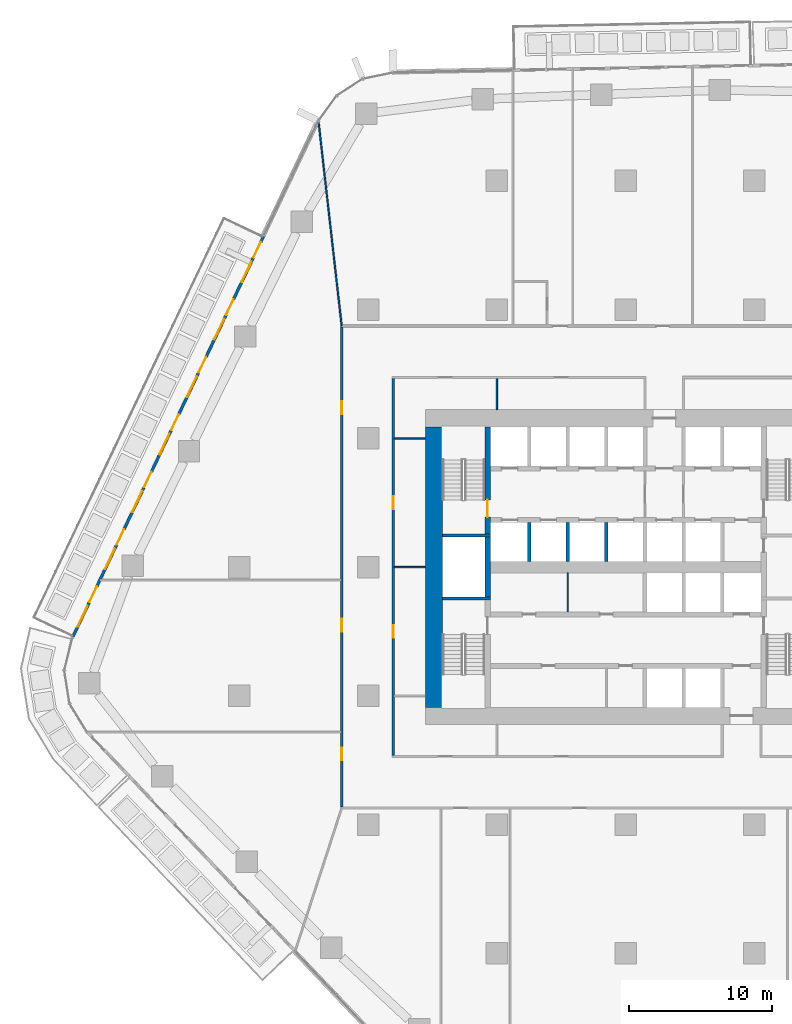
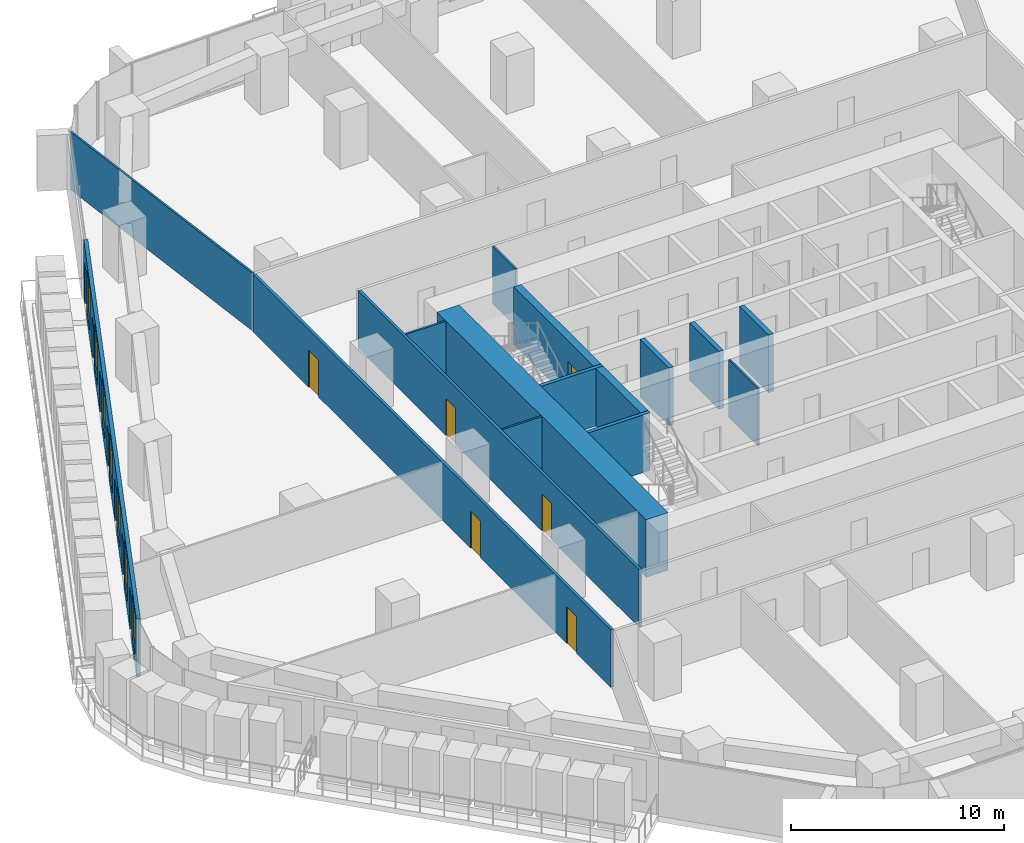
# One storey, part 13 of 24: 16 walls, 13 doors, 7 windows, 20 openings.
"""IFC4 building model written with IfcOpenShell, lengths in metres."""

from ifc_helpers import new_model, si_unit, direction, frame, frame_2d, origin, place, context, subcontext, project, spatial, rectangle, extrude, material, layer, layer_set, type_object, element, fill, save


model = new_model("IFC4")

# Units and contexts
model_context = context("Model", 3, precision=1e-05, world=origin(), true_north=direction((0.0, 1.0)))
body_context = subcontext(model_context, "Body", "Model", "MODEL_VIEW")
ifc_project = project(units=[si_unit("LENGTHUNIT", "METRE"), si_unit("AREAUNIT", "SQUARE_METRE"), si_unit("VOLUMEUNIT", "CUBIC_METRE"), si_unit("PLANEANGLEUNIT", "RADIAN"), si_unit("MASSUNIT", "GRAM", prefix="KILO")], contexts=[model_context])

# Site, building, storey
site_placement = place(None, origin())
site = spatial("IfcSite", under=ifc_project, at=site_placement, CompositionType="ELEMENT")
building_placement = place(site_placement, origin())
building = spatial("IfcBuilding", under=site, at=building_placement, Name="Dongbaek Canopy Tower", CompositionType="ELEMENT")
storey_placement = place(building_placement, frame((0.0, 0.0, 47.699951171875)))
storey = spatial("IfcBuildingStorey", under=building, at=storey_placement, Name="L07", CompositionType="ELEMENT", Elevation=47.699951171875)

# Wall
ifc_material_1 = material(Name="Concrete C60/75", Category="concrete")
ifc_layer_1 = layer(ifc_material_1, 1.199951171875)
ifc_layer_set_1 = layer_set([ifc_layer_1], Name="Core outer wall 1200 Concrete C60/75")
wall_type_1 = type_object("IfcWallType", Name="Core outer wall 1200 Concrete C60/75", PredefinedType="SHEAR", material=ifc_layer_set_1)
wall_1_placement = place(storey_placement, frame((-13.39990234375, -9.800048828125, 0.0), z_axis=(0.0, 0.0, 1.0), x_axis=(0.0, 1.0, 0.0)))
element("IfcWall", 1, at=wall_1_placement, inside=storey, type_object=wall_type_1, Name="Core wall", PredefinedType="SHEAR", context=body_context, shape_type="SweptSolid", body=[
    extrude(rectangle(XDim=19.60009765625, YDim=1.199951171875, at=frame_2d((9.800048828125, 0.0))), origin(), (0.0, 0.0, 1.0), 3.300048828125),
])

# Wall, openings, doors
ifc_material_2 = material(Name="Gypsum board partition, steel stud, 2 x 15 mm fire board", Category="steel")
ifc_layer_2 = layer(ifc_material_2, 0.14990234375)
ifc_layer_set_2 = layer_set([ifc_layer_2], Name="Fire-rated partition 150 gypsum board")
wall_type_2 = type_object("IfcWallType", Name="Fire-rated partition 150 gypsum board", PredefinedType="PARTITIONING", material=ifc_layer_set_2)
wall_2_placement = place(storey_placement, frame((-16.25, 13.175048828125, 0.0), z_axis=(0.0, 0.0, 1.0), x_axis=(0.0, -1.0, 0.0)))
wall_2 = element("IfcWall", 2, at=wall_2_placement, inside=storey, type_object=wall_type_2, Name="Corridor partition", PredefinedType="PARTITIONING", context=body_context, shape_type="SweptSolid", body=[
    extrude(rectangle(XDim=26.35009765625, YDim=0.14990234375, at=frame_2d((13.175048828125, 0.0))), origin(), (0.0, 0.0, 1.0), 3.300048828125),
])
opening_1_placement = place(wall_2_placement, frame((17.22509765625, 0.0, 0.0)))
opening_1 = element("IfcOpeningElement", 3, at=opening_1_placement, cuts=wall_2, Name="Opening L07-D018", PredefinedType="OPENING", context=body_context, shape_type="SweptSolid", body=[
    extrude(rectangle(XDim=0.89990234375, YDim=2.10009765625, at=frame_2d((0.449951171875, 1.050048828125))), frame((0.0, 0.0849609375, 0.0), z_axis=(0.0, -1.0, 0.0), x_axis=(1.0, 0.0, 0.0)), (0.0, 0.0, 1.0), 0.169921875),
])
opening_2_placement = place(wall_2_placement, frame((8.22509765625, 0.0, 0.0)))
opening_2 = element("IfcOpeningElement", 4, at=opening_2_placement, cuts=wall_2, Name="Opening L07-D026", PredefinedType="OPENING", context=body_context, shape_type="SweptSolid", body=[
    extrude(rectangle(XDim=0.89990234375, YDim=2.10009765625, at=frame_2d((0.449951171875, 1.050048828125))), frame((0.0, 0.0849609375, 0.0), z_axis=(0.0, -1.0, 0.0), x_axis=(1.0, 0.0, 0.0)), (0.0, 0.0, 1.0), 0.169921875),
])
ifc_material_3 = material(Name="Timber veneered door leaf", Category="wood")
door_type_1 = type_object("IfcDoorType", Name="Room door 900 x 2100", OperationType="SINGLE_SWING_LEFT", PredefinedType="DOOR", material=ifc_material_3)
door_1_placement = place(opening_1_placement, origin())
door_1 = element("IfcDoor", 5, at=door_1_placement, inside=storey, type_object=door_type_1, Name="Door L07-D018", OperationType="SINGLE_SWING_RIGHT", OverallHeight=2.10009765625, OverallWidth=0.89990234375, PredefinedType="DOOR", context=body_context, shape_type="SweptSolid", body=[
    extrude(rectangle(XDim=0.89990234375, YDim=2.10009765625, at=frame_2d((0.449951171875, 1.050048828125))), frame((0.0, 0.02490234375, 0.0), z_axis=(0.0, -1.0, 0.0), x_axis=(1.0, 0.0, 0.0)), (0.0, 0.0, 1.0), 0.050048828125),
])
fill(opening_1, door_1)
door_2_placement = place(opening_2_placement, origin())
door_2 = element("IfcDoor", 6, at=door_2_placement, inside=storey, type_object=door_type_1, Name="Door L07-D026", OperationType="SINGLE_SWING_RIGHT", OverallHeight=2.10009765625, OverallWidth=0.89990234375, PredefinedType="DOOR", context=body_context, shape_type="SweptSolid", body=[
    extrude(rectangle(XDim=0.89990234375, YDim=2.10009765625, at=frame_2d((0.449951171875, 1.050048828125))), frame((0.0, 0.02490234375, 0.0), z_axis=(0.0, -1.0, 0.0), x_axis=(1.0, 0.0, 0.0)), (0.0, 0.0, 1.0), 0.050048828125),
])
fill(opening_2, door_2)

wall_3_placement = place(storey_placement, frame((-19.85009765625, -16.77490234375, 0.0), z_axis=(0.0, 0.0, 1.0), x_axis=(0.0, 1.0, 0.0)))
wall_3 = element("IfcWall", 7, at=wall_3_placement, inside=storey, type_object=wall_type_2, Name="Corridor partition", PredefinedType="PARTITIONING", context=body_context, shape_type="SweptSolid", body=[
    extrude(rectangle(XDim=33.5498046875, YDim=0.14990234375, at=frame_2d((16.77490234375, 0.0))), origin(), (0.0, 0.0, 1.0), 3.300048828125),
])
opening_3_placement = place(wall_3_placement, frame((12.256103515625, 0.0, 0.0)))
opening_3 = element("IfcOpeningElement", 8, at=opening_3_placement, cuts=wall_3, Name="Opening L07-D001", PredefinedType="OPENING", context=body_context, shape_type="SweptSolid", body=[
    extrude(rectangle(XDim=0.89990234375, YDim=2.10009765625, at=frame_2d((0.449951171875, 1.050048828125))), frame((0.0, 0.0849609375, 0.0), z_axis=(0.0, -1.0, 0.0), x_axis=(1.0, 0.0, 0.0)), (0.0, 0.0, 1.0), 0.169921875),
])
opening_4_placement = place(wall_3_placement, frame((3.25439453125, 0.0, 0.0)))
opening_4 = element("IfcOpeningElement", 9, at=opening_4_placement, cuts=wall_3, Name="Opening L07-D002", PredefinedType="OPENING", context=body_context, shape_type="SweptSolid", body=[
    extrude(rectangle(XDim=0.89990234375, YDim=2.10009765625, at=frame_2d((0.449951171875, 1.050048828125))), frame((0.0, 0.0849609375, 0.0), z_axis=(0.0, -1.0, 0.0), x_axis=(1.0, 0.0, 0.0)), (0.0, 0.0, 1.0), 0.169921875),
])
opening_5_placement = place(wall_3_placement, frame((27.45068359375, 0.0, 0.0)))
opening_5 = element("IfcOpeningElement", 10, at=opening_5_placement, cuts=wall_3, Name="Opening L07-D017", PredefinedType="OPENING", context=body_context, shape_type="SweptSolid", body=[
    extrude(rectangle(XDim=0.89990234375, YDim=2.10009765625, at=frame_2d((0.449951171875, 1.050048828125))), frame((0.0, 0.0849609375, 0.0), z_axis=(0.0, -1.0, 0.0), x_axis=(1.0, 0.0, 0.0)), (0.0, 0.0, 1.0), 0.169921875),
])
door_3_placement = place(opening_3_placement, origin())
door_3 = element("IfcDoor", 11, at=door_3_placement, inside=storey, type_object=door_type_1, Name="Door L07-D001", OperationType="SINGLE_SWING_RIGHT", OverallHeight=2.10009765625, OverallWidth=0.89990234375, PredefinedType="DOOR", context=body_context, shape_type="SweptSolid", body=[
    extrude(rectangle(XDim=0.89990234375, YDim=2.10009765625, at=frame_2d((0.449951171875, 1.050048828125))), frame((0.0, 0.02490234375, 0.0), z_axis=(0.0, -1.0, 0.0), x_axis=(1.0, 0.0, 0.0)), (0.0, 0.0, 1.0), 0.050048828125),
])
fill(opening_3, door_3)
door_4_placement = place(opening_4_placement, origin())
door_4 = element("IfcDoor", 12, at=door_4_placement, inside=storey, type_object=door_type_1, Name="Door L07-D002", OperationType="SINGLE_SWING_LEFT", OverallHeight=2.10009765625, OverallWidth=0.89990234375, PredefinedType="DOOR", context=body_context, shape_type="SweptSolid", body=[
    extrude(rectangle(XDim=0.89990234375, YDim=2.10009765625, at=frame_2d((0.449951171875, 1.050048828125))), frame((0.0, 0.02490234375, 0.0), z_axis=(0.0, -1.0, 0.0), x_axis=(1.0, 0.0, 0.0)), (0.0, 0.0, 1.0), 0.050048828125),
])
fill(opening_4, door_4)
door_5_placement = place(opening_5_placement, origin())
door_5 = element("IfcDoor", 13, at=door_5_placement, inside=storey, type_object=door_type_1, Name="Door L07-D017", OperationType="SINGLE_SWING_LEFT", OverallHeight=2.10009765625, OverallWidth=0.89990234375, PredefinedType="DOOR", context=body_context, shape_type="SweptSolid", body=[
    extrude(rectangle(XDim=0.89990234375, YDim=2.10009765625, at=frame_2d((0.449951171875, 1.050048828125))), frame((0.0, 0.02490234375, 0.0), z_axis=(0.0, -1.0, 0.0), x_axis=(1.0, 0.0, 0.0)), (0.0, 0.0, 1.0), 0.050048828125),
])
fill(opening_5, door_5)

# Walls
ifc_material_4 = material(Name="Concrete C40/50", Category="concrete")
ifc_layer_3 = layer(ifc_material_4, 0.25)
ifc_layer_set_3 = layer_set([ifc_layer_3], Name="Lift shaft wall 250 Concrete C40/50")
wall_type_3 = type_object("IfcWallType", Name="Lift shaft wall 250 Concrete C40/50", PredefinedType="SOLIDWALL", material=ifc_layer_set_3)
for number, where, z_axis, x_axis, name in (
    (14, (-1.35009765625, 0.39990234375, 0.0), (0.0, 0.0, 1.0), (0.0, 1.0, 0.0), "Lift shaft wall"),
    (15, (-4.050048828125, 0.39990234375, 0.0), (0.0, 0.0, 1.0), (0.0, 1.0, 0.0), "Lift shaft wall"),
    (16, (-6.75, 0.39990234375, 0.0), (0.0, 0.0, 1.0), (0.0, 1.0, 0.0), "Lift shaft wall"),
):
    element("IfcWall", number, at=place(storey_placement, frame(where, z_axis=z_axis, x_axis=x_axis)), inside=storey, type_object=wall_type_3, Name=name, PredefinedType="SOLIDWALL", context=body_context, shape_type="SweptSolid", body=[
        extrude(rectangle(XDim=2.72509765625, YDim=0.25, at=frame_2d((1.362548828125, 0.0))), origin(), (0.0, 0.0, 1.0), 3.300048828125),
    ])
ifc_material_5 = material(Name="Gypsum board partition, steel stud, 2 x 12.5 mm board", Category="steel")
ifc_layer_4 = layer(ifc_material_5, 0.10009765625)
ifc_layer_set_4 = layer_set([ifc_layer_4], Name="Partition 100 gypsum board")
wall_type_4 = type_object("IfcWallType", Name="Partition 100 gypsum board", PredefinedType="PARTITIONING", material=ifc_layer_set_4)
for number, where, z_axis, x_axis, name in (
    (17, (-16.175048828125, 0.0, 0.0), (0.0, 0.0, 1.0), (1.0, 0.0, 0.0), "Partition"),
    (18, (-16.175048828125, 9.0, 0.0), (0.0, 0.0, 1.0), (1.0, 0.0, 0.0), "Partition"),
    (19, (-9.0, 11.0, 0.0), (0.0, 0.0, 1.0), (0.0, 1.0, 0.0), "Partition"),
):
    element("IfcWall", number, at=place(storey_placement, frame(where, z_axis=z_axis, x_axis=x_axis)), inside=storey, type_object=wall_type_4, Name=name, PredefinedType="PARTITIONING", context=body_context, shape_type="SweptSolid", body=[
        extrude(rectangle(XDim=2.175048828125, YDim=0.10009765625, at=frame_2d((1.08740234375, 0.0))), origin(), (0.0, 0.0, 1.0), 3.300048828125),
    ])
wall_4_placement = place(storey_placement, frame((-21.47216796875, 31.153076171875, 0.0), z_axis=(0.0, 0.0, 1.0), x_axis=(0.112685540228, -0.993630700524, 0.0)))
element("IfcWall", 20, at=wall_4_placement, inside=storey, type_object=wall_type_4, Name="Partition", PredefinedType="PARTITIONING", context=body_context, shape_type="SweptSolid", body=[
    extrude(rectangle(XDim=14.394775390625, YDim=0.10009765625, at=frame_2d((7.197265625, 0.0))), origin(), (0.0, 0.0, 1.0), 3.300048828125),
])
wall_5_placement = place(storey_placement, frame((-4.050048828125, -3.125, 0.0), z_axis=(0.0, 0.0, 1.0), x_axis=(0.0, 1.0, 0.0)))
element("IfcWall", 21, at=wall_5_placement, inside=storey, type_object=wall_type_4, Name="Core partition", PredefinedType="PARTITIONING", context=body_context, shape_type="SweptSolid", body=[
    extrude(rectangle(XDim=2.72509765625, YDim=0.10009765625, at=frame_2d((1.362548828125, 0.0))), origin(), (0.0, 0.0, 1.0), 3.300048828125),
])
ifc_material_6 = material(Name="Concrete C60/75", Category="concrete")
ifc_layer_5 = layer(ifc_material_6, 0.199951171875)
ifc_layer_set_5 = layer_set([ifc_layer_5], Name="Riser wall 200 Concrete C60/75")
wall_type_5 = type_object("IfcWallType", Name="Riser wall 200 Concrete C60/75", PredefinedType="SHEAR", material=ifc_layer_set_5)
for number, where, z_axis, x_axis, name in (
    (22, (-9.449951171875, 2.199951171875, 0.0), (0.0, 0.0, 1.0), (-1.0, 0.0, 0.0), "Riser wall"),
    (23, (-9.449951171875, -2.199951171875, 0.0), (0.0, 0.0, 1.0), (-1.0, 0.0, 0.0), "Riser wall"),
):
    element("IfcWall", number, at=place(storey_placement, frame(where, z_axis=z_axis, x_axis=x_axis)), inside=storey, type_object=wall_type_5, Name=name, PredefinedType="SHEAR", context=body_context, shape_type="SweptSolid", body=[
        extrude(rectangle(XDim=3.35009765625, YDim=0.199951171875, at=frame_2d((1.675048828125, 0.0))), origin(), (0.0, 0.0, 1.0), 3.300048828125),
    ])
ifc_material_7 = material(Name="Concrete C60/75", Category="concrete")
ifc_layer_6 = layer(ifc_material_7, 0.39990234375)
ifc_layer_set_6 = layer_set([ifc_layer_6], Name="Stair wall 400 Concrete C60/75")
wall_type_6 = type_object("IfcWallType", Name="Stair wall 400 Concrete C60/75", PredefinedType="SHEAR", material=ifc_layer_set_6)
wall_6_placement = place(storey_placement, frame((-9.64990234375, -2.10009765625, 0.0), z_axis=(0.0, 0.0, 1.0), x_axis=(0.0, 1.0, 0.0)))
element("IfcWall", 24, at=wall_6_placement, inside=storey, type_object=wall_type_6, Name="Stair wall", PredefinedType="SHEAR", context=body_context, shape_type="SweptSolid", body=[
    extrude(rectangle(XDim=4.2001953125, YDim=0.39990234375, at=frame_2d((2.10009765625, 0.0))), origin(), (0.0, 0.0, 1.0), 3.300048828125),
])

# Wall, opening, door
wall_7_placement = place(storey_placement, frame((-9.64990234375, 2.300048828125, 0.0), z_axis=(0.0, 0.0, 1.0), x_axis=(0.0, 1.0, 0.0)))
wall_7 = element("IfcWall", 25, at=wall_7_placement, inside=storey, type_object=wall_type_6, Name="Stair wall", PredefinedType="SHEAR", context=body_context, shape_type="SweptSolid", body=[
    extrude(rectangle(XDim=7.5, YDim=0.39990234375, at=frame_2d((3.75, 0.0))), origin(), (0.0, 0.0, 1.0), 3.300048828125),
])
opening_6_placement = place(wall_7_placement, frame((1.199951171875, 0.0, 0.0)))
opening_6 = element("IfcOpeningElement", 26, at=opening_6_placement, cuts=wall_7, Name="Opening L07-D051", PredefinedType="OPENING", context=body_context, shape_type="SweptSolid", body=[
    extrude(rectangle(XDim=1.199951171875, YDim=2.10009765625, at=frame_2d((0.60009765625, 1.050048828125))), frame((0.0, 0.2099609375, 0.0), z_axis=(0.0, -1.0, 0.0), x_axis=(1.0, 0.0, 0.0)), (0.0, 0.0, 1.0), 0.419921875),
])
ifc_material_8 = material(Name="Steel", Category="steel")
door_type_2 = type_object("IfcDoorType", Name="Stair door 1200 x 2100", OperationType="SINGLE_SWING_LEFT", PredefinedType="DOOR", material=ifc_material_8)
door_6_placement = place(opening_6_placement, origin())
door_6 = element("IfcDoor", 27, at=door_6_placement, inside=storey, type_object=door_type_2, Name="Stair C door", OperationType="SINGLE_SWING_RIGHT", OverallHeight=2.10009765625, OverallWidth=1.199951171875, PredefinedType="DOOR", context=body_context, shape_type="SweptSolid", body=[
    extrude(rectangle(XDim=1.199951171875, YDim=2.10009765625, at=frame_2d((0.60009765625, 1.050048828125))), frame((0.0, 0.02490234375, 0.0), z_axis=(0.0, -1.0, 0.0), x_axis=(1.0, 0.0, 0.0)), (0.0, 0.0, 1.0), 0.050048828125),
])
fill(opening_6, door_6)

# Wall, openings, doors, windows
ifc_material_9 = material(Name="Aluminium window wall", Category="aluminium")
ifc_layer_7 = layer(ifc_material_9, 0.199951171875)
ifc_layer_set_7 = layer_set([ifc_layer_7], Name="Window wall 200")
wall_type_7 = type_object("IfcWallType", Name="Window wall 200", PredefinedType="SOLIDWALL", material=ifc_layer_set_7)
wall_8_placement = place(storey_placement, frame((-25.294677734375, 23.16796875, 0.0), z_axis=(0.0, 0.0, 1.0), x_axis=(-0.429791665344, -0.902928083737, 0.0)))
wall_8 = element("IfcWall", 28, at=wall_8_placement, inside=storey, type_object=wall_type_7, Name="Window wall L07 2", PredefinedType="SOLIDWALL", context=body_context, shape_type="SweptSolid", body=[
    extrude(rectangle(XDim=31.11962890625, YDim=0.199951171875, at=frame_2d((15.559814453125, 0.0))), origin(), (0.0, 0.0, 1.0), 3.300048828125),
])
opening_7_placement = place(wall_8_placement, frame((2.0, 0.0, 0.60009765625)))
opening_7 = element("IfcOpeningElement", 29, at=opening_7_placement, cuts=wall_8, Name="Opening W1", PredefinedType="OPENING", context=body_context, shape_type="SweptSolid", body=[
    extrude(rectangle(XDim=1.60009765625, YDim=2.39990234375, at=frame_2d((0.800048828125, 1.199951171875))), frame((0.0, 0.10986328125, 0.0), z_axis=(0.0, -1.0, 0.0), x_axis=(1.0, 0.0, 0.0)), (0.0, 0.0, 1.0), 0.219970703125),
])
opening_8_placement = place(wall_8_placement, frame((0.5, 0.0, 0.0)))
opening_8 = element("IfcOpeningElement", 30, at=opening_8_placement, cuts=wall_8, Name="Opening L07-B06", PredefinedType="OPENING", context=body_context, shape_type="SweptSolid", body=[
    extrude(rectangle(XDim=1.199951171875, YDim=2.39990234375, at=frame_2d((0.60009765625, 1.199951171875))), frame((0.0, 0.10986328125, 0.0), z_axis=(0.0, -1.0, 0.0), x_axis=(1.0, 0.0, 0.0)), (0.0, 0.0, 1.0), 0.219970703125),
])
opening_9_placement = place(wall_8_placement, frame((6.44580078125, 0.0, 0.60009765625)))
opening_9 = element("IfcOpeningElement", 31, at=opening_9_placement, cuts=wall_8, Name="Opening W1", PredefinedType="OPENING", context=body_context, shape_type="SweptSolid", body=[
    extrude(rectangle(XDim=1.60009765625, YDim=2.39990234375, at=frame_2d((0.800048828125, 1.199951171875))), frame((0.0, 0.10986328125, 0.0), z_axis=(0.0, -1.0, 0.0), x_axis=(1.0, 0.0, 0.0)), (0.0, 0.0, 1.0), 0.219970703125),
])
opening_10_placement = place(wall_8_placement, frame((4.94580078125, 0.0, 0.0)))
opening_10 = element("IfcOpeningElement", 32, at=opening_10_placement, cuts=wall_8, Name="Opening L07-B07", PredefinedType="OPENING", context=body_context, shape_type="SweptSolid", body=[
    extrude(rectangle(XDim=1.199951171875, YDim=2.39990234375, at=frame_2d((0.60009765625, 1.199951171875))), frame((0.0, 0.10986328125, 0.0), z_axis=(0.0, -1.0, 0.0), x_axis=(1.0, 0.0, 0.0)), (0.0, 0.0, 1.0), 0.219970703125),
])
opening_11_placement = place(wall_8_placement, frame((10.891357421875, 0.0, 0.60009765625)))
opening_11 = element("IfcOpeningElement", 33, at=opening_11_placement, cuts=wall_8, Name="Opening W1", PredefinedType="OPENING", context=body_context, shape_type="SweptSolid", body=[
    extrude(rectangle(XDim=1.60009765625, YDim=2.39990234375, at=frame_2d((0.800048828125, 1.199951171875))), frame((0.0, 0.10986328125, 0.0), z_axis=(0.0, -1.0, 0.0), x_axis=(1.0, 0.0, 0.0)), (0.0, 0.0, 1.0), 0.219970703125),
])
opening_12_placement = place(wall_8_placement, frame((9.391357421875, 0.0, 0.0)))
opening_12 = element("IfcOpeningElement", 34, at=opening_12_placement, cuts=wall_8, Name="Opening L07-B08", PredefinedType="OPENING", context=body_context, shape_type="SweptSolid", body=[
    extrude(rectangle(XDim=1.199951171875, YDim=2.39990234375, at=frame_2d((0.60009765625, 1.199951171875))), frame((0.0, 0.10986328125, 0.0), z_axis=(0.0, -1.0, 0.0), x_axis=(1.0, 0.0, 0.0)), (0.0, 0.0, 1.0), 0.219970703125),
])
opening_13_placement = place(wall_8_placement, frame((15.337158203125, 0.0, 0.60009765625)))
opening_13 = element("IfcOpeningElement", 35, at=opening_13_placement, cuts=wall_8, Name="Opening W1", PredefinedType="OPENING", context=body_context, shape_type="SweptSolid", body=[
    extrude(rectangle(XDim=1.60009765625, YDim=2.39990234375, at=frame_2d((0.800048828125, 1.199951171875))), frame((0.0, 0.10986328125, 0.0), z_axis=(0.0, -1.0, 0.0), x_axis=(1.0, 0.0, 0.0)), (0.0, 0.0, 1.0), 0.219970703125),
])
opening_14_placement = place(wall_8_placement, frame((13.837158203125, 0.0, 0.0)))
opening_14 = element("IfcOpeningElement", 36, at=opening_14_placement, cuts=wall_8, Name="Opening L07-B09", PredefinedType="OPENING", context=body_context, shape_type="SweptSolid", body=[
    extrude(rectangle(XDim=1.199951171875, YDim=2.39990234375, at=frame_2d((0.60009765625, 1.199951171875))), frame((0.0, 0.10986328125, 0.0), z_axis=(0.0, -1.0, 0.0), x_axis=(1.0, 0.0, 0.0)), (0.0, 0.0, 1.0), 0.219970703125),
])
opening_15_placement = place(wall_8_placement, frame((19.78271484375, 0.0, 0.60009765625)))
opening_15 = element("IfcOpeningElement", 37, at=opening_15_placement, cuts=wall_8, Name="Opening W1", PredefinedType="OPENING", context=body_context, shape_type="SweptSolid", body=[
    extrude(rectangle(XDim=1.60009765625, YDim=2.39990234375, at=frame_2d((0.800048828125, 1.199951171875))), frame((0.0, 0.10986328125, 0.0), z_axis=(0.0, -1.0, 0.0), x_axis=(1.0, 0.0, 0.0)), (0.0, 0.0, 1.0), 0.219970703125),
])
opening_16_placement = place(wall_8_placement, frame((18.28271484375, 0.0, 0.0)))
opening_16 = element("IfcOpeningElement", 38, at=opening_16_placement, cuts=wall_8, Name="Opening L07-B10", PredefinedType="OPENING", context=body_context, shape_type="SweptSolid", body=[
    extrude(rectangle(XDim=1.199951171875, YDim=2.39990234375, at=frame_2d((0.60009765625, 1.199951171875))), frame((0.0, 0.10986328125, 0.0), z_axis=(0.0, -1.0, 0.0), x_axis=(1.0, 0.0, 0.0)), (0.0, 0.0, 1.0), 0.219970703125),
])
opening_17_placement = place(wall_8_placement, frame((24.228515625, 0.0, 0.60009765625)))
opening_17 = element("IfcOpeningElement", 39, at=opening_17_placement, cuts=wall_8, Name="Opening W1", PredefinedType="OPENING", context=body_context, shape_type="SweptSolid", body=[
    extrude(rectangle(XDim=1.60009765625, YDim=2.39990234375, at=frame_2d((0.800048828125, 1.199951171875))), frame((0.0, 0.10986328125, 0.0), z_axis=(0.0, -1.0, 0.0), x_axis=(1.0, 0.0, 0.0)), (0.0, 0.0, 1.0), 0.219970703125),
])
opening_18_placement = place(wall_8_placement, frame((22.728515625, 0.0, 0.0)))
opening_18 = element("IfcOpeningElement", 40, at=opening_18_placement, cuts=wall_8, Name="Opening L07-B11", PredefinedType="OPENING", context=body_context, shape_type="SweptSolid", body=[
    extrude(rectangle(XDim=1.199951171875, YDim=2.39990234375, at=frame_2d((0.60009765625, 1.199951171875))), frame((0.0, 0.10986328125, 0.0), z_axis=(0.0, -1.0, 0.0), x_axis=(1.0, 0.0, 0.0)), (0.0, 0.0, 1.0), 0.219970703125),
])
opening_19_placement = place(wall_8_placement, frame((28.67431640625, 0.0, 0.60009765625)))
opening_19 = element("IfcOpeningElement", 41, at=opening_19_placement, cuts=wall_8, Name="Opening W1", PredefinedType="OPENING", context=body_context, shape_type="SweptSolid", body=[
    extrude(rectangle(XDim=1.60009765625, YDim=2.39990234375, at=frame_2d((0.800048828125, 1.199951171875))), frame((0.0, 0.10986328125, 0.0), z_axis=(0.0, -1.0, 0.0), x_axis=(1.0, 0.0, 0.0)), (0.0, 0.0, 1.0), 0.219970703125),
])
opening_20_placement = place(wall_8_placement, frame((27.17431640625, 0.0, 0.0)))
opening_20 = element("IfcOpeningElement", 42, at=opening_20_placement, cuts=wall_8, Name="Opening L07-B12", PredefinedType="OPENING", context=body_context, shape_type="SweptSolid", body=[
    extrude(rectangle(XDim=1.199951171875, YDim=2.39990234375, at=frame_2d((0.60009765625, 1.199951171875))), frame((0.0, 0.10986328125, 0.0), z_axis=(0.0, -1.0, 0.0), x_axis=(1.0, 0.0, 0.0)), (0.0, 0.0, 1.0), 0.219970703125),
])
ifc_material_10 = material(Name="Clear glazing in aluminium frame", Category="aluminium")
door_type_3 = type_object("IfcDoorType", Name="Balcony door BD1 1200 x 2400", OperationType="SLIDING_TO_LEFT", PredefinedType="DOOR", material=ifc_material_10)
door_7_placement = place(opening_8_placement, origin())
door_7 = element("IfcDoor", 43, at=door_7_placement, inside=storey, type_object=door_type_3, Name="Balcony door L07-B06", OperationType="SLIDING_TO_LEFT", OverallHeight=2.39990234375, OverallWidth=1.199951171875, PredefinedType="DOOR", context=body_context, shape_type="SweptSolid", body=[
    extrude(rectangle(XDim=1.199951171875, YDim=2.39990234375, at=frame_2d((0.60009765625, 1.199951171875))), frame((0.0, 0.02490234375, 0.0), z_axis=(0.0, -1.0, 0.0), x_axis=(1.0, 0.0, 0.0)), (0.0, 0.0, 1.0), 0.050048828125),
])
fill(opening_8, door_7)
door_8_placement = place(opening_10_placement, origin())
door_8 = element("IfcDoor", 44, at=door_8_placement, inside=storey, type_object=door_type_3, Name="Balcony door L07-B07", OperationType="SLIDING_TO_LEFT", OverallHeight=2.39990234375, OverallWidth=1.199951171875, PredefinedType="DOOR", context=body_context, shape_type="SweptSolid", body=[
    extrude(rectangle(XDim=1.199951171875, YDim=2.39990234375, at=frame_2d((0.60009765625, 1.199951171875))), frame((0.0, 0.02490234375, 0.0), z_axis=(0.0, -1.0, 0.0), x_axis=(1.0, 0.0, 0.0)), (0.0, 0.0, 1.0), 0.050048828125),
])
fill(opening_10, door_8)
door_9_placement = place(opening_12_placement, origin())
door_9 = element("IfcDoor", 45, at=door_9_placement, inside=storey, type_object=door_type_3, Name="Balcony door L07-B08", OperationType="SLIDING_TO_LEFT", OverallHeight=2.39990234375, OverallWidth=1.199951171875, PredefinedType="DOOR", context=body_context, shape_type="SweptSolid", body=[
    extrude(rectangle(XDim=1.199951171875, YDim=2.39990234375, at=frame_2d((0.60009765625, 1.199951171875))), frame((0.0, 0.02490234375, 0.0), z_axis=(0.0, -1.0, 0.0), x_axis=(1.0, 0.0, 0.0)), (0.0, 0.0, 1.0), 0.050048828125),
])
fill(opening_12, door_9)
door_10_placement = place(opening_14_placement, origin())
door_10 = element("IfcDoor", 46, at=door_10_placement, inside=storey, type_object=door_type_3, Name="Balcony door L07-B09", OperationType="SLIDING_TO_LEFT", OverallHeight=2.39990234375, OverallWidth=1.199951171875, PredefinedType="DOOR", context=body_context, shape_type="SweptSolid", body=[
    extrude(rectangle(XDim=1.199951171875, YDim=2.39990234375, at=frame_2d((0.60009765625, 1.199951171875))), frame((0.0, 0.02490234375, 0.0), z_axis=(0.0, -1.0, 0.0), x_axis=(1.0, 0.0, 0.0)), (0.0, 0.0, 1.0), 0.050048828125),
])
fill(opening_14, door_10)
door_11_placement = place(opening_16_placement, origin())
door_11 = element("IfcDoor", 47, at=door_11_placement, inside=storey, type_object=door_type_3, Name="Balcony door L07-B10", OperationType="SLIDING_TO_LEFT", OverallHeight=2.39990234375, OverallWidth=1.199951171875, PredefinedType="DOOR", context=body_context, shape_type="SweptSolid", body=[
    extrude(rectangle(XDim=1.199951171875, YDim=2.39990234375, at=frame_2d((0.60009765625, 1.199951171875))), frame((0.0, 0.02490234375, 0.0), z_axis=(0.0, -1.0, 0.0), x_axis=(1.0, 0.0, 0.0)), (0.0, 0.0, 1.0), 0.050048828125),
])
fill(opening_16, door_11)
door_12_placement = place(opening_18_placement, origin())
door_12 = element("IfcDoor", 48, at=door_12_placement, inside=storey, type_object=door_type_3, Name="Balcony door L07-B11", OperationType="SLIDING_TO_LEFT", OverallHeight=2.39990234375, OverallWidth=1.199951171875, PredefinedType="DOOR", context=body_context, shape_type="SweptSolid", body=[
    extrude(rectangle(XDim=1.199951171875, YDim=2.39990234375, at=frame_2d((0.60009765625, 1.199951171875))), frame((0.0, 0.02490234375, 0.0), z_axis=(0.0, -1.0, 0.0), x_axis=(1.0, 0.0, 0.0)), (0.0, 0.0, 1.0), 0.050048828125),
])
fill(opening_18, door_12)
door_13_placement = place(opening_20_placement, origin())
door_13 = element("IfcDoor", 49, at=door_13_placement, inside=storey, type_object=door_type_3, Name="Balcony door L07-B12", OperationType="SLIDING_TO_LEFT", OverallHeight=2.39990234375, OverallWidth=1.199951171875, PredefinedType="DOOR", context=body_context, shape_type="SweptSolid", body=[
    extrude(rectangle(XDim=1.199951171875, YDim=2.39990234375, at=frame_2d((0.60009765625, 1.199951171875))), frame((0.0, 0.02490234375, 0.0), z_axis=(0.0, -1.0, 0.0), x_axis=(1.0, 0.0, 0.0)), (0.0, 0.0, 1.0), 0.050048828125),
])
fill(opening_20, door_13)
ifc_material_11 = material(Name="Clear glazing in aluminium frame", Category="aluminium")
window_type = type_object("IfcWindowType", Name="Window W1 1600 x 2400", PartitioningType="SINGLE_PANEL", PredefinedType="WINDOW", material=ifc_material_11)
window_1_placement = place(opening_7_placement, origin())
window_1 = element("IfcWindow", 50, at=window_1_placement, inside=storey, type_object=window_type, Name="Window L07 2.1", OverallHeight=2.39990234375, OverallWidth=1.60009765625, PartitioningType="SINGLE_PANEL", PredefinedType="WINDOW", context=body_context, shape_type="SweptSolid", body=[
    extrude(rectangle(XDim=1.60009765625, YDim=2.39990234375, at=frame_2d((0.800048828125, 1.199951171875))), frame((0.0, 0.030029296875, 0.0), z_axis=(0.0, -1.0, 0.0), x_axis=(1.0, 0.0, 0.0)), (0.0, 0.0, 1.0), 0.06005859375),
])
fill(opening_7, window_1)
window_2_placement = place(opening_9_placement, origin())
window_2 = element("IfcWindow", 51, at=window_2_placement, inside=storey, type_object=window_type, Name="Window L07 2.2", OverallHeight=2.39990234375, OverallWidth=1.60009765625, PartitioningType="SINGLE_PANEL", PredefinedType="WINDOW", context=body_context, shape_type="SweptSolid", body=[
    extrude(rectangle(XDim=1.60009765625, YDim=2.39990234375, at=frame_2d((0.800048828125, 1.199951171875))), frame((0.0, 0.030029296875, 0.0), z_axis=(0.0, -1.0, 0.0), x_axis=(1.0, 0.0, 0.0)), (0.0, 0.0, 1.0), 0.06005859375),
])
fill(opening_9, window_2)
window_3_placement = place(opening_11_placement, origin())
window_3 = element("IfcWindow", 52, at=window_3_placement, inside=storey, type_object=window_type, Name="Window L07 2.3", OverallHeight=2.39990234375, OverallWidth=1.60009765625, PartitioningType="SINGLE_PANEL", PredefinedType="WINDOW", context=body_context, shape_type="SweptSolid", body=[
    extrude(rectangle(XDim=1.60009765625, YDim=2.39990234375, at=frame_2d((0.800048828125, 1.199951171875))), frame((0.0, 0.030029296875, 0.0), z_axis=(0.0, -1.0, 0.0), x_axis=(1.0, 0.0, 0.0)), (0.0, 0.0, 1.0), 0.06005859375),
])
fill(opening_11, window_3)
window_4_placement = place(opening_13_placement, origin())
window_4 = element("IfcWindow", 53, at=window_4_placement, inside=storey, type_object=window_type, Name="Window L07 2.4", OverallHeight=2.39990234375, OverallWidth=1.60009765625, PartitioningType="SINGLE_PANEL", PredefinedType="WINDOW", context=body_context, shape_type="SweptSolid", body=[
    extrude(rectangle(XDim=1.60009765625, YDim=2.39990234375, at=frame_2d((0.800048828125, 1.199951171875))), frame((0.0, 0.030029296875, 0.0), z_axis=(0.0, -1.0, 0.0), x_axis=(1.0, 0.0, 0.0)), (0.0, 0.0, 1.0), 0.06005859375),
])
fill(opening_13, window_4)
window_5_placement = place(opening_15_placement, origin())
window_5 = element("IfcWindow", 54, at=window_5_placement, inside=storey, type_object=window_type, Name="Window L07 2.5", OverallHeight=2.39990234375, OverallWidth=1.60009765625, PartitioningType="SINGLE_PANEL", PredefinedType="WINDOW", context=body_context, shape_type="SweptSolid", body=[
    extrude(rectangle(XDim=1.60009765625, YDim=2.39990234375, at=frame_2d((0.800048828125, 1.199951171875))), frame((0.0, 0.030029296875, 0.0), z_axis=(0.0, -1.0, 0.0), x_axis=(1.0, 0.0, 0.0)), (0.0, 0.0, 1.0), 0.06005859375),
])
fill(opening_15, window_5)
window_6_placement = place(opening_17_placement, origin())
window_6 = element("IfcWindow", 55, at=window_6_placement, inside=storey, type_object=window_type, Name="Window L07 2.6", OverallHeight=2.39990234375, OverallWidth=1.60009765625, PartitioningType="SINGLE_PANEL", PredefinedType="WINDOW", context=body_context, shape_type="SweptSolid", body=[
    extrude(rectangle(XDim=1.60009765625, YDim=2.39990234375, at=frame_2d((0.800048828125, 1.199951171875))), frame((0.0, 0.030029296875, 0.0), z_axis=(0.0, -1.0, 0.0), x_axis=(1.0, 0.0, 0.0)), (0.0, 0.0, 1.0), 0.06005859375),
])
fill(opening_17, window_6)
window_7_placement = place(opening_19_placement, origin())
window_7 = element("IfcWindow", 56, at=window_7_placement, inside=storey, type_object=window_type, Name="Window L07 2.7", OverallHeight=2.39990234375, OverallWidth=1.60009765625, PartitioningType="SINGLE_PANEL", PredefinedType="WINDOW", context=body_context, shape_type="SweptSolid", body=[
    extrude(rectangle(XDim=1.60009765625, YDim=2.39990234375, at=frame_2d((0.800048828125, 1.199951171875))), frame((0.0, 0.030029296875, 0.0), z_axis=(0.0, -1.0, 0.0), x_axis=(1.0, 0.0, 0.0)), (0.0, 0.0, 1.0), 0.06005859375),
])
fill(opening_19, window_7)

save(model, "model.ifc")
